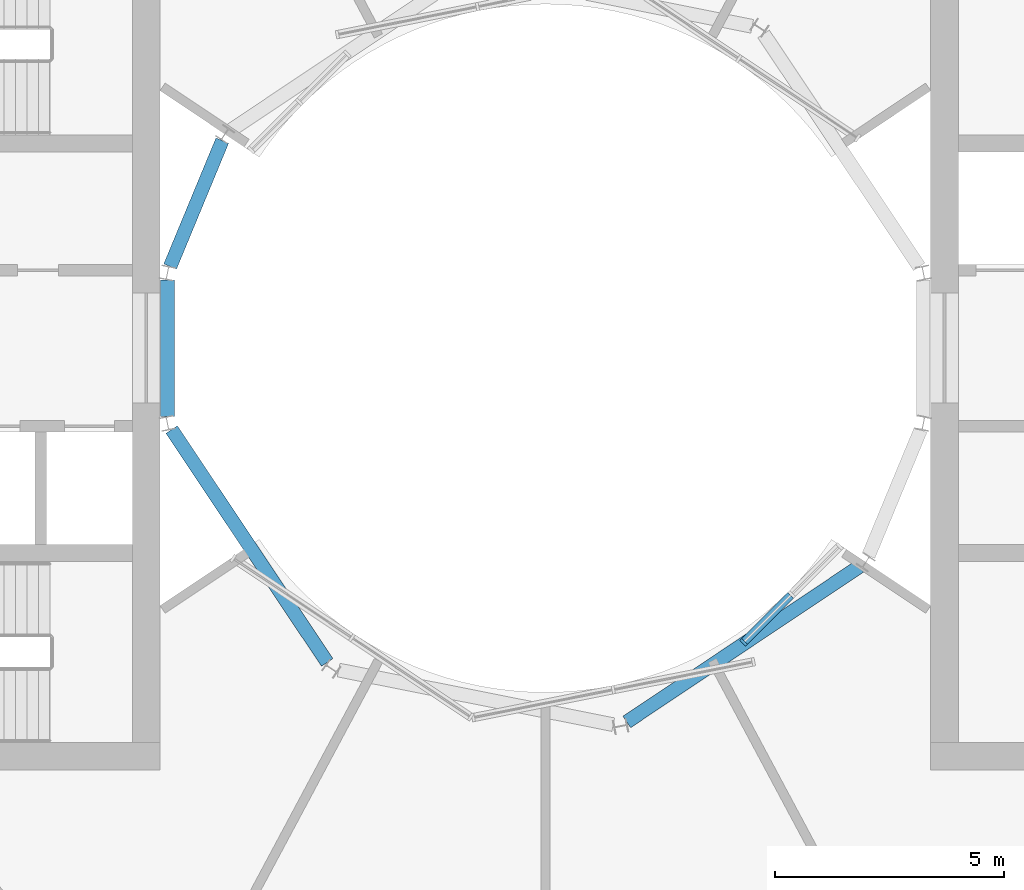
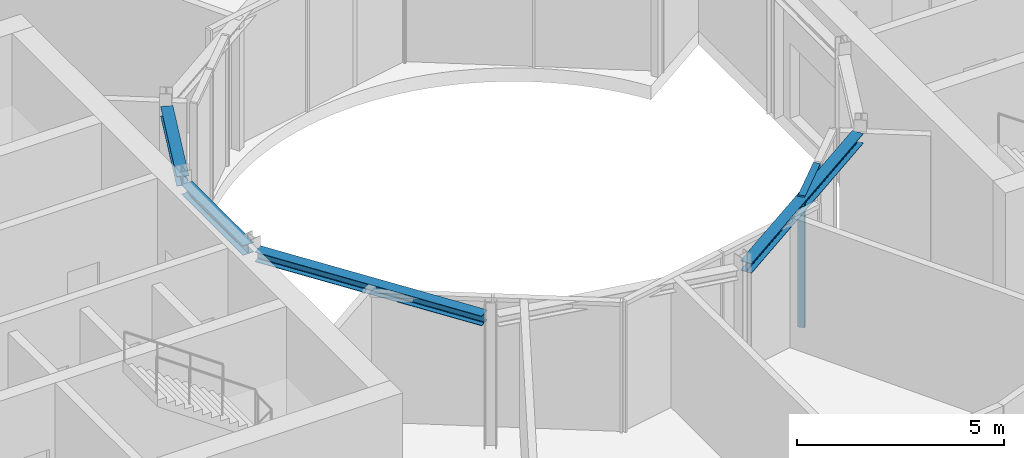
# One storey, part 6 of 18: 4 beams, 2 members, 1 element without a shape of its own.
"""IFC4 building model written with IfcOpenShell, lengths in metres."""

from ifc_helpers import new_model, si_unit, direction, frame, origin, origin_2d, place, context, subcontext, project, spatial, rectangle, i_section, extrude, material, layer, layer_set, material_profile, profile_set, type_object, element, aggregate, save


model = new_model("IFC4")

# Units and contexts
model_context = context("Model", 3, precision=1e-05, world=origin(), true_north=direction((0.0, 1.0)))
body_context = subcontext(model_context, "Body", "Model", "MODEL_VIEW")
ifc_project = project(units=[si_unit("LENGTHUNIT", "METRE"), si_unit("AREAUNIT", "SQUARE_METRE"), si_unit("VOLUMEUNIT", "CUBIC_METRE"), si_unit("PLANEANGLEUNIT", "RADIAN"), si_unit("MASSUNIT", "GRAM", prefix="KILO")], contexts=[model_context])

# Site, building, storey
site_placement = place(None, origin())
site = spatial("IfcSite", under=ifc_project, at=site_placement, CompositionType="ELEMENT")
building_placement = place(site_placement, origin())
building = spatial("IfcBuilding", under=site, at=building_placement, Name="Maasbend Ring Residences", CompositionType="ELEMENT")
storey_placement = place(building_placement, frame((0.0, 0.0, 103.25)))
storey = spatial("IfcBuildingStorey", under=building, at=storey_placement, Name="L29", CompositionType="ELEMENT", Elevation=103.25)

# Curtain wall, members
ifc_material_1 = material(Name="Aluminium and clear glass", Category="aluminium")
ifc_layer = layer(ifc_material_1, 0.179931640625)
ifc_layer_set = layer_set([ifc_layer], Name="CW-W")
curtain_wall_type = type_object("IfcCurtainWallType", Name="CW-W", PredefinedType="NOTDEFINED", material=ifc_layer_set)
curtain_wall_placement = place(storey_placement, origin())
curtain_wall = element("IfcCurtainWall", 1, at=curtain_wall_placement, inside=storey, type_object=curtain_wall_type, Name="Well curtain wall S3", PredefinedType="NOTDEFINED")
ifc_material_2 = material(Name="Aluminium 6063-T6", Category="aluminium")
ifc_material_profile_1 = material_profile(ifc_material_2, rectangle(XDim=0.179931640625, YDim=0.06005859375, at=origin_2d()), Name="AL 180x60")
ifc_profile_set_1 = profile_set([ifc_material_profile_1], Name="Aluminium 6063-T6")
member_type_1 = type_object("IfcMemberType", Name="CWM-W", PredefinedType="MULLION", material=ifc_profile_set_1)
member_1_placement = place(storey_placement, frame((4.320556640625, -6.413330078125, 0.0), z_axis=(0.0, 0.0, 1.0), x_axis=(-0.707106781187, 0.707106781187, 0.0)))
member_1 = element("IfcMember", 2, at=member_1_placement, type_object=member_type_1, Name="Mullion well face", PredefinedType="MULLION", context=body_context, shape_type="SweptSolid", body=[
    extrude(rectangle(XDim=0.179931640625, YDim=0.06005859375, at=origin_2d()), origin(), (0.0, 0.0, 1.0), 3.85009765625),
])
ifc_material_3 = material(Name="Aluminium 6063-T6", Category="aluminium")
ifc_material_profile_2 = material_profile(ifc_material_3, rectangle(XDim=0.179931640625, YDim=0.1201171875, at=origin_2d()), Name="AL 180x120")
ifc_profile_set_2 = profile_set([ifc_material_profile_2], Name="Aluminium 6063-T6")
member_type_2 = type_object("IfcMemberType", Name="CWT-W", PredefinedType="USERDEFINED", material=ifc_profile_set_2)
member_2_placement = place(storey_placement, frame((4.341796875, -6.39208984375, 3.7900390625), z_axis=(0.707106781187, 0.707106781187, 0.0), x_axis=(-0.707106781187, 0.707106781187, 0.0)))
member_2 = element("IfcMember", 3, at=member_2_placement, type_object=member_type_2, Name="Transom well face", ObjectType="TRANSOM", PredefinedType="USERDEFINED", context=body_context, shape_type="SweptSolid", body=[
    extrude(rectangle(XDim=0.179931640625, YDim=0.1201171875, at=origin_2d()), origin(), (0.0, 0.0, 1.0), 1.419677734375),
])
aggregate(curtain_wall, [member_1, member_2])

# Beams
ifc_material_4 = material(Name="Steel S355J2", Category="steel")
ifc_material_profile_3 = material_profile(ifc_material_4, i_section(OverallWidth=0.300048828125, OverallDepth=0.2900390625, WebThickness=0.008544921875, FlangeThickness=0.013916015625, FilletRadius=0.027099609375, at=origin_2d()), Name="HEA 300")
ifc_profile_set_3 = profile_set([ifc_material_profile_3], Name="Steel S355J2")
beam_type = type_object("IfcBeamType", Name="Well edge beam HEA 300", PredefinedType="BEAM", material=ifc_profile_set_3)
for number, where, z_axis, x_axis, name in (
    (4, (-7.042724609375, 4.525390625, 3.705078125), (-0.382765370874, -0.923845588212, 0.0), (0.923845588212, -0.382765370874, 0.0), "Well edge beam"),
    (5, (-8.238525390625, 1.48583984375, 3.705078125), (0.0, -1.0, 0.0), (1.0, 0.0, 0.0), "Well edge beam"),
):
    element("IfcBeam", number, at=place(storey_placement, frame(where, z_axis=z_axis, x_axis=x_axis)), inside=storey, type_object=beam_type, Name=name, PredefinedType="BEAM", context=body_context, shape_type="SweptSolid", body=[
        extrude(i_section(OverallWidth=0.300048828125, OverallDepth=0.2900390625, WebThickness=0.008544921875, FlangeThickness=0.013916015625, FilletRadius=0.027099609375, at=origin_2d()), origin(), (0.0, 0.0, 1.0), 2.9716796875),
    ])
for number, where, z_axis, x_axis, name in (
    (6, (-8.1484375, -1.773681640625, 3.705078125), (0.555558236289, -0.831477628137, 0.0), (0.831477628137, 0.555558236289, 0.0), "Well edge beam"),
    (7, (1.773681640625, -8.1484375, 3.705078125), (0.831477628137, 0.555558236289, 0.0), (-0.555558236289, 0.831477628137, 0.0), "Well edge beam"),
):
    element("IfcBeam", number, at=place(storey_placement, frame(where, z_axis=z_axis, x_axis=x_axis)), inside=storey, type_object=beam_type, Name=name, PredefinedType="BEAM", context=body_context, shape_type="SweptSolid", body=[
        extrude(i_section(OverallWidth=0.300048828125, OverallDepth=0.2900390625, WebThickness=0.008544921875, FlangeThickness=0.013916015625, FilletRadius=0.027099609375, at=origin_2d()), origin(), (0.0, 0.0, 1.0), 6.1044921875),
    ])

save(model, "model.ifc")
